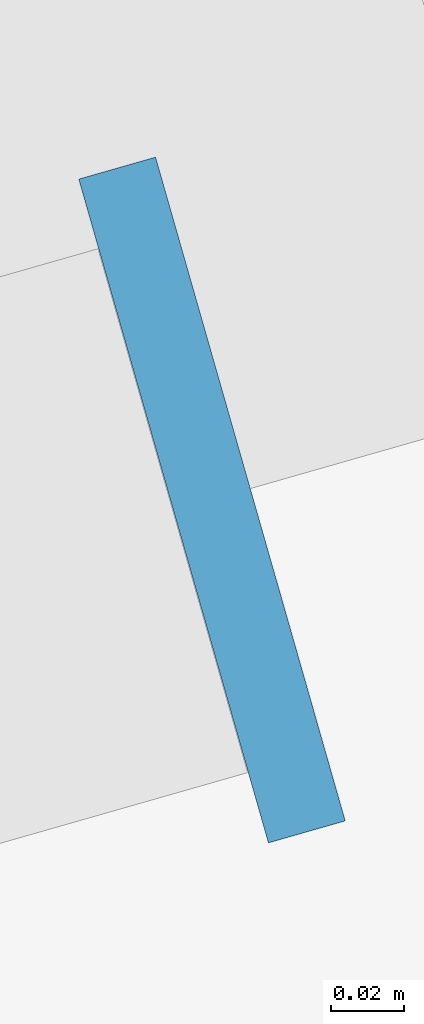
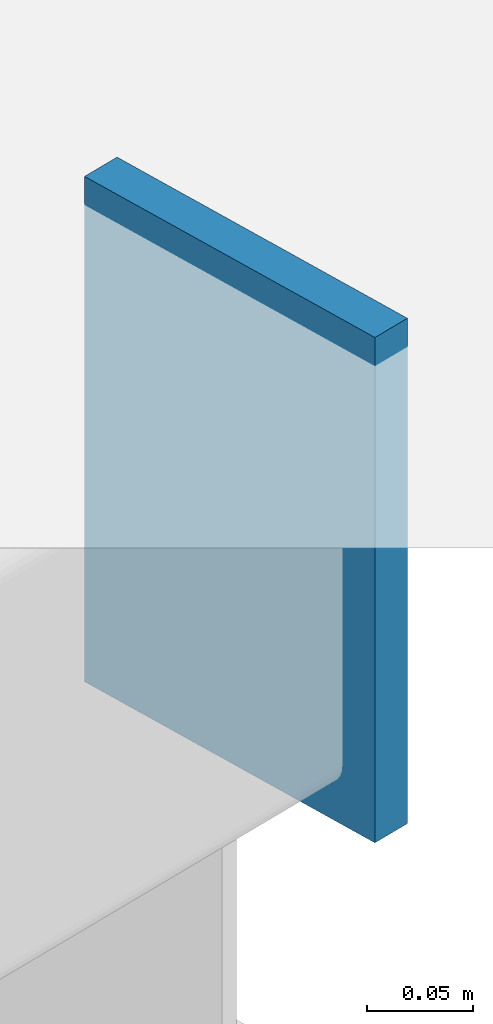
# One storey, part 46 of 90: 1 plate.
"""IFC4 building model written with IfcOpenShell, lengths in metres."""

from ifc_helpers import new_model, si_unit, direction, frame, origin, origin_2d, place, context, subcontext, project, spatial, rectangle, extrude, material, layer, layer_set, type_object, element, save


model = new_model("IFC4")

# Units and contexts
model_context = context("Model", 3, precision=1e-05, world=origin(), true_north=direction((0.0, 1.0)))
body_context = subcontext(model_context, "Body", "Model", "MODEL_VIEW")
ifc_project = project(units=[si_unit("LENGTHUNIT", "METRE"), si_unit("AREAUNIT", "SQUARE_METRE"), si_unit("VOLUMEUNIT", "CUBIC_METRE"), si_unit("PLANEANGLEUNIT", "RADIAN"), si_unit("MASSUNIT", "GRAM", prefix="KILO")], contexts=[model_context])

# Site, building, storey
site_placement = place(None, origin())
site = spatial("IfcSite", under=ifc_project, at=site_placement, CompositionType="ELEMENT")
building_placement = place(site_placement, origin())
building = spatial("IfcBuilding", under=site, at=building_placement, Name="Wrenclough Park School", CompositionType="ELEMENT")
storey_placement = place(building_placement, frame((0.0, 0.0, 8.39990234375)))
storey = spatial("IfcBuildingStorey", under=building, at=storey_placement, Name="L02", CompositionType="ELEMENT", Elevation=8.39990234375)

# Plate
ifc_material = material(Name="Structural steel S355", Category="steel")
ifc_layer = layer(ifc_material, 0.2900390625)
ifc_layer_set = layer_set([ifc_layer], Name="Structural steel S355")
plate_type = type_object("IfcPlateType", Name="STR-PL-EP250", PredefinedType="SHEET", material=ifc_layer_set)
plate_placement = place(storey_placement, frame((65.052490234375, 95.83203125, -0.5), z_axis=(0.0, 0.0, 1.0), x_axis=(0.961501868857, 0.27479839189, 0.0)))
element("IfcPlate", 1, at=plate_placement, inside=storey, type_object=plate_type, Name="W34 eave fascia R4 end sealing end-cap plate", PredefinedType="SHEET", context=body_context, shape_type="SweptSolid", body=[
    extrude(rectangle(XDim=0.02197265625, YDim=0.18994140625, at=origin_2d()), origin(), (0.0, 0.0, 1.0), 0.2900390625),
])

save(model, "model.ifc")
